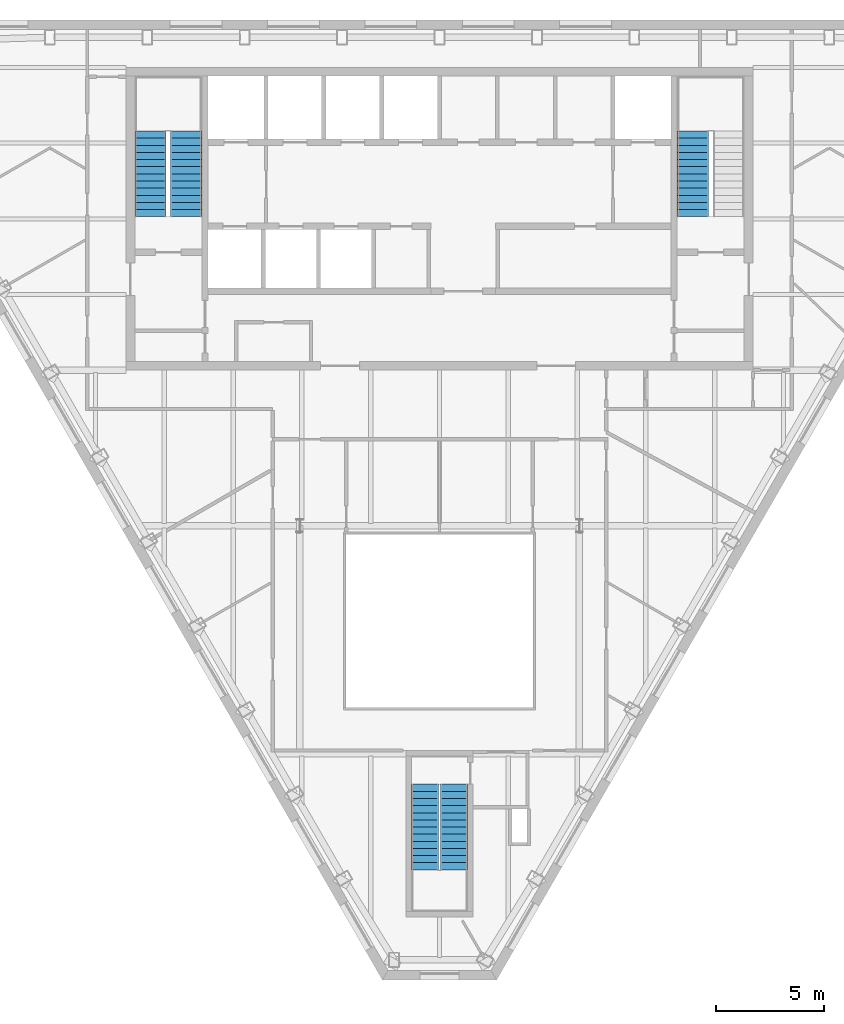
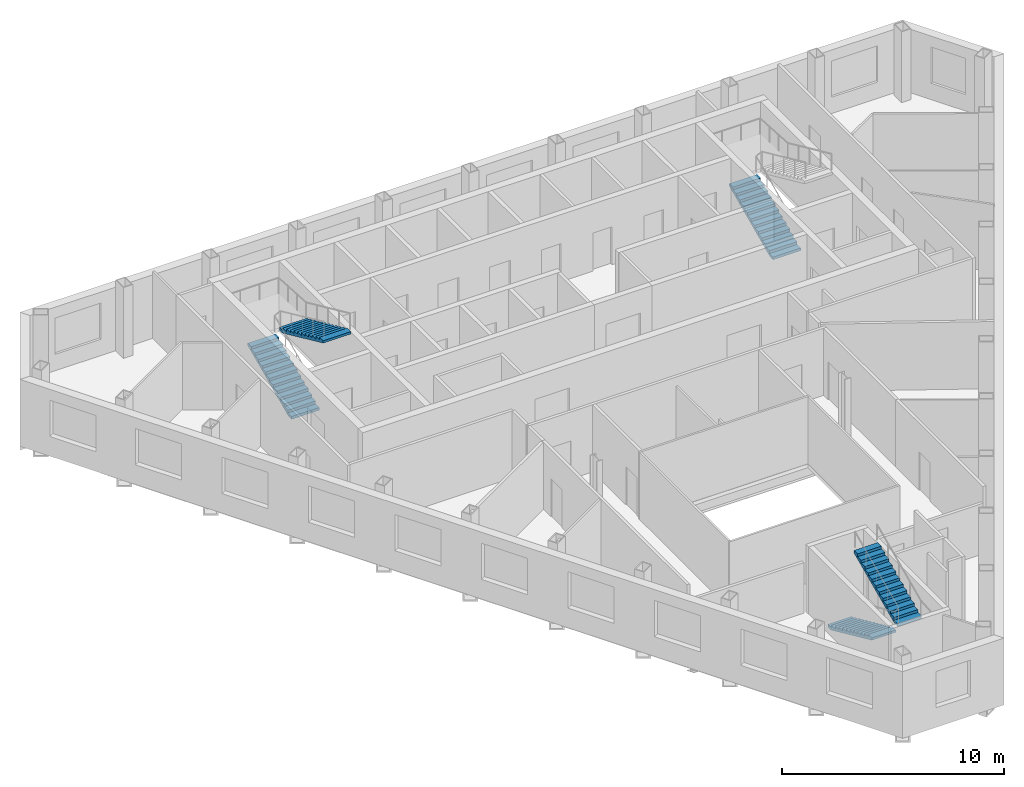
# One storey, part 8 of 10: 5 stair flights, 3 elements without a shape of their own.
"""IFC4 building model written with IfcOpenShell, lengths in metres."""

from ifc_helpers import new_model, si_unit, direction, frame, origin, place, context, subcontext, project, spatial, polygons, material, type_object, element, aggregate, save


model = new_model("IFC4")

# Units and contexts
model_context = context("Model", 3, precision=1e-05, world=origin(), true_north=direction((0.0, 1.0)))
body_context = subcontext(model_context, "Body", "Model", "MODEL_VIEW")
ifc_project = project(units=[si_unit("LENGTHUNIT", "METRE"), si_unit("AREAUNIT", "SQUARE_METRE"), si_unit("VOLUMEUNIT", "CUBIC_METRE"), si_unit("PLANEANGLEUNIT", "RADIAN"), si_unit("MASSUNIT", "GRAM", prefix="KILO")], contexts=[model_context])

# Site, building, storey
site_placement = place(None, origin())
site = spatial("IfcSite", under=ifc_project, at=site_placement, CompositionType="ELEMENT")
building_placement = place(site_placement, origin())
building = spatial("IfcBuilding", under=site, at=building_placement, Name="Njiva Tower", CompositionType="ELEMENT")
storey_placement = place(building_placement, frame((0.0, 0.0, 280.5)))
storey = spatial("IfcBuildingStorey", under=building, at=storey_placement, Name="L64", CompositionType="ELEMENT", Elevation=280.5)

# Stair, stair flights
ifc_material = material(Name="Concrete C40/50", Category="concrete")
stair_type_1 = type_object("IfcStairType", Name="ST1 Exit stair 1250", PredefinedType="HALF_TURN_STAIR", material=ifc_material)
stair_1_placement = place(storey_placement, origin())
stair_1 = element("IfcStair", 1, at=stair_1_placement, inside=storey, type_object=stair_type_1, Name="Stair C", PredefinedType="HALF_TURN_STAIR")
stair_flight_type_1 = type_object("IfcStairFlightType", Name="FL1 Stair flight 1250", PredefinedType="STRAIGHT", material=ifc_material)
stair_flight_1_placement = place(storey_placement, frame((-0.675, -15.16, 0.0), z_axis=(0.0, 0.0, 1.0), x_axis=(0.0, -1.0, 0.0)))
stair_flight_1 = element("IfcStairFlight", 2, at=stair_flight_1_placement, type_object=stair_flight_type_1, Name="ST-C flight 1", NumberOfRisers=13, NumberOfTreads=12, PredefinedType="STRAIGHT", RiserHeight=0.15, TreadLength=0.33, context=body_context, shape_type="Tessellation", body=[
    polygons([(0.0, 0.625, 0.0), (0.0, 0.3125, 0.0), (0.0, 0.0, 0.0), (0.0, -0.3125, 0.0), (0.0, -0.625, 0.0), (0.0, 0.625, 0.15), (0.0, 0.3125, 0.15), (0.0, 0.0, 0.15), (0.0, -0.3125, 0.15), (0.0, -0.625, 0.15), (0.33, 0.625, 0.15), (0.33, 0.3125, 0.15), (0.33, 0.0, 0.15), (0.33, -0.3125, 0.15), (0.33, -0.625, 0.15), (0.33, 0.625, 0.3), (0.33, 0.3125, 0.3), (0.33, 0.0, 0.3), (0.33, -0.3125, 0.3), (0.33, -0.625, 0.3), (0.66, 0.625, 0.3), (0.66, 0.3125, 0.3), (0.66, 0.0, 0.3), (0.66, -0.3125, 0.3), (0.66, -0.625, 0.3), (0.66, 0.625, 0.45), (0.66, 0.3125, 0.45), (0.66, 0.0, 0.45), (0.66, -0.3125, 0.45), (0.66, -0.625, 0.45), (0.99, 0.625, 0.45), (0.99, 0.3125, 0.45), (0.99, 0.0, 0.45), (0.99, -0.3125, 0.45), (0.99, -0.625, 0.45), (0.99, 0.625, 0.6), (0.99, 0.3125, 0.6), (0.99, 0.0, 0.6), (0.99, -0.3125, 0.6), (0.99, -0.625, 0.6), (1.32, 0.625, 0.6), (1.32, 0.3125, 0.6), (1.32, 0.0, 0.6), (1.32, -0.3125, 0.6), (1.32, -0.625, 0.6), (1.32, 0.625, 0.75), (1.32, 0.3125, 0.75), (1.32, 0.0, 0.75), (1.32, -0.3125, 0.75), (1.32, -0.625, 0.75), (1.65, 0.625, 0.75), (1.65, 0.3125, 0.75), (1.65, 0.0, 0.75), (1.65, -0.3125, 0.75), (1.65, -0.625, 0.75), (1.65, 0.625, 0.9), (1.65, 0.3125, 0.9), (1.65, 0.0, 0.9), (1.65, -0.3125, 0.9), (1.65, -0.625, 0.9), (1.98, 0.625, 0.9), (1.98, 0.3125, 0.9), (1.98, 0.0, 0.9), (1.98, -0.3125, 0.9), (1.98, -0.625, 0.9), (1.98, 0.625, 1.05), (1.98, 0.3125, 1.05), (1.98, 0.0, 1.05), (1.98, -0.3125, 1.05), (1.98, -0.625, 1.05), (2.31, 0.625, 1.05), (2.31, 0.3125, 1.05), (2.31, 0.0, 1.05), (2.31, -0.3125, 1.05), (2.31, -0.625, 1.05), (2.31, 0.625, 1.2), (2.31, 0.3125, 1.2), (2.31, 0.0, 1.2), (2.31, -0.3125, 1.2), (2.31, -0.625, 1.2), (2.64, 0.625, 1.2), (2.64, 0.3125, 1.2), (2.64, 0.0, 1.2), (2.64, -0.3125, 1.2), (2.64, -0.625, 1.2), (2.64, 0.625, 1.35), (2.64, 0.3125, 1.35), (2.64, 0.0, 1.35), (2.64, -0.3125, 1.35), (2.64, -0.625, 1.35), (2.97, 0.625, 1.35), (2.97, 0.3125, 1.35), (2.97, 0.0, 1.35), (2.97, -0.3125, 1.35), (2.97, -0.625, 1.35), (2.97, 0.625, 1.5), (2.97, 0.3125, 1.5), (2.97, 0.0, 1.5), (2.97, -0.3125, 1.5), (2.97, -0.625, 1.5), (3.3, 0.625, 1.5), (3.3, 0.3125, 1.5), (3.3, 0.0, 1.5), (3.3, -0.3125, 1.5), (3.3, -0.625, 1.5), (3.3, 0.625, 1.65), (3.3, 0.3125, 1.65), (3.3, 0.0, 1.65), (3.3, -0.3125, 1.65), (3.3, -0.625, 1.65), (3.63, 0.625, 1.65), (3.63, 0.3125, 1.65), (3.63, 0.0, 1.65), (3.63, -0.3125, 1.65), (3.63, -0.625, 1.65), (3.63, 0.625, 1.8), (3.63, 0.3125, 1.8), (3.63, 0.0, 1.8), (3.63, -0.3125, 1.8), (3.63, -0.625, 1.8), (3.96, 0.625, 1.8), (3.96, 0.3125, 1.8), (3.96, 0.0, 1.8), (3.96, -0.3125, 1.8), (3.96, -0.625, 1.8), (3.96, 0.625, 1.6682), (3.96, 0.3125, 1.6682), (3.96, 0.0, 1.6682), (3.96, -0.3125, 1.6682), (3.96, -0.625, 1.6682), (0.29, 0.625, 0.0), (0.29, 0.3125, 0.0), (0.29, 0.0, 0.0), (0.29, -0.3125, 0.0), (0.29, -0.625, 0.0)], [[[1, 6, 11, 16, 21, 26, 31, 36, 41, 46, 51, 56, 61, 66, 71, 76, 81, 86, 91, 96, 101, 106, 111, 116, 121, 126, 131]], [[135, 130, 125, 120, 115, 110, 105, 100, 95, 90, 85, 80, 75, 70, 65, 60, 55, 50, 45, 40, 35, 30, 25, 20, 15, 10, 5]], [[6, 1, 2, 7]], [[7, 2, 3, 8]], [[8, 3, 4, 9]], [[9, 4, 5, 10]], [[11, 6, 7, 12]], [[12, 7, 8, 13]], [[13, 8, 9, 14]], [[14, 9, 10, 15]], [[16, 11, 12, 17]], [[17, 12, 13, 18]], [[18, 13, 14, 19]], [[19, 14, 15, 20]], [[21, 16, 17, 22]], [[22, 17, 18, 23]], [[23, 18, 19, 24]], [[24, 19, 20, 25]], [[26, 21, 22, 27]], [[27, 22, 23, 28]], [[28, 23, 24, 29]], [[29, 24, 25, 30]], [[31, 26, 27, 32]], [[32, 27, 28, 33]], [[33, 28, 29, 34]], [[34, 29, 30, 35]], [[36, 31, 32, 37]], [[37, 32, 33, 38]], [[38, 33, 34, 39]], [[39, 34, 35, 40]], [[41, 36, 37, 42]], [[42, 37, 38, 43]], [[43, 38, 39, 44]], [[44, 39, 40, 45]], [[46, 41, 42, 47]], [[47, 42, 43, 48]], [[48, 43, 44, 49]], [[49, 44, 45, 50]], [[51, 46, 47, 52]], [[52, 47, 48, 53]], [[53, 48, 49, 54]], [[54, 49, 50, 55]], [[56, 51, 52, 57]], [[57, 52, 53, 58]], [[58, 53, 54, 59]], [[59, 54, 55, 60]], [[61, 56, 57, 62]], [[62, 57, 58, 63]], [[63, 58, 59, 64]], [[64, 59, 60, 65]], [[66, 61, 62, 67]], [[67, 62, 63, 68]], [[68, 63, 64, 69]], [[69, 64, 65, 70]], [[71, 66, 67, 72]], [[72, 67, 68, 73]], [[73, 68, 69, 74]], [[74, 69, 70, 75]], [[76, 71, 72, 77]], [[77, 72, 73, 78]], [[78, 73, 74, 79]], [[79, 74, 75, 80]], [[81, 76, 77, 82]], [[82, 77, 78, 83]], [[83, 78, 79, 84]], [[84, 79, 80, 85]], [[86, 81, 82, 87]], [[87, 82, 83, 88]], [[88, 83, 84, 89]], [[89, 84, 85, 90]], [[91, 86, 87, 92]], [[92, 87, 88, 93]], [[93, 88, 89, 94]], [[94, 89, 90, 95]], [[96, 91, 92, 97]], [[97, 92, 93, 98]], [[98, 93, 94, 99]], [[99, 94, 95, 100]], [[101, 96, 97, 102]], [[102, 97, 98, 103]], [[103, 98, 99, 104]], [[104, 99, 100, 105]], [[106, 101, 102, 107]], [[107, 102, 103, 108]], [[108, 103, 104, 109]], [[109, 104, 105, 110]], [[111, 106, 107, 112]], [[112, 107, 108, 113]], [[113, 108, 109, 114]], [[114, 109, 110, 115]], [[116, 111, 112, 117]], [[117, 112, 113, 118]], [[118, 113, 114, 119]], [[119, 114, 115, 120]], [[121, 116, 117, 122]], [[122, 117, 118, 123]], [[123, 118, 119, 124]], [[124, 119, 120, 125]], [[126, 121, 122, 127]], [[127, 122, 123, 128]], [[128, 123, 124, 129]], [[129, 124, 125, 130]], [[131, 126, 127, 132]], [[132, 127, 128, 133]], [[133, 128, 129, 134]], [[134, 129, 130, 135]], [[1, 131, 132, 2]], [[2, 132, 133, 3]], [[3, 133, 134, 4]], [[4, 134, 135, 5]]], closed=True),
])
stair_flight_2_placement = place(storey_placement, frame((0.675, -19.12, 1.95), z_axis=(0.0, 0.0, 1.0), x_axis=(0.0, 1.0, 0.0)))
stair_flight_2 = element("IfcStairFlight", 3, at=stair_flight_2_placement, type_object=stair_flight_type_1, Name="ST-C flight 2", NumberOfRisers=13, NumberOfTreads=12, PredefinedType="STRAIGHT", RiserHeight=0.15, TreadLength=0.33, context=body_context, shape_type="Tessellation", body=[
    polygons([(0.0, 0.625, 0.0), (0.0, 0.3125, 0.0), (0.0, 0.0, 0.0), (0.0, -0.3125, 0.0), (0.0, -0.625, 0.0), (0.0, 0.625, 0.15), (0.0, 0.3125, 0.15), (0.0, 0.0, 0.15), (0.0, -0.3125, 0.15), (0.0, -0.625, 0.15), (0.33, 0.625, 0.15), (0.33, 0.3125, 0.15), (0.33, 0.0, 0.15), (0.33, -0.3125, 0.15), (0.33, -0.625, 0.15), (0.33, 0.625, 0.3), (0.33, 0.3125, 0.3), (0.33, 0.0, 0.3), (0.33, -0.3125, 0.3), (0.33, -0.625, 0.3), (0.66, 0.625, 0.3), (0.66, 0.3125, 0.3), (0.66, 0.0, 0.3), (0.66, -0.3125, 0.3), (0.66, -0.625, 0.3), (0.66, 0.625, 0.45), (0.66, 0.3125, 0.45), (0.66, 0.0, 0.45), (0.66, -0.3125, 0.45), (0.66, -0.625, 0.45), (0.99, 0.625, 0.45), (0.99, 0.3125, 0.45), (0.99, 0.0, 0.45), (0.99, -0.3125, 0.45), (0.99, -0.625, 0.45), (0.99, 0.625, 0.6), (0.99, 0.3125, 0.6), (0.99, 0.0, 0.6), (0.99, -0.3125, 0.6), (0.99, -0.625, 0.6), (1.32, 0.625, 0.6), (1.32, 0.3125, 0.6), (1.32, 0.0, 0.6), (1.32, -0.3125, 0.6), (1.32, -0.625, 0.6), (1.32, 0.625, 0.75), (1.32, 0.3125, 0.75), (1.32, 0.0, 0.75), (1.32, -0.3125, 0.75), (1.32, -0.625, 0.75), (1.65, 0.625, 0.75), (1.65, 0.3125, 0.75), (1.65, 0.0, 0.75), (1.65, -0.3125, 0.75), (1.65, -0.625, 0.75), (1.65, 0.625, 0.9), (1.65, 0.3125, 0.9), (1.65, 0.0, 0.9), (1.65, -0.3125, 0.9), (1.65, -0.625, 0.9), (1.98, 0.625, 0.9), (1.98, 0.3125, 0.9), (1.98, 0.0, 0.9), (1.98, -0.3125, 0.9), (1.98, -0.625, 0.9), (1.98, 0.625, 1.05), (1.98, 0.3125, 1.05), (1.98, 0.0, 1.05), (1.98, -0.3125, 1.05), (1.98, -0.625, 1.05), (2.31, 0.625, 1.05), (2.31, 0.3125, 1.05), (2.31, 0.0, 1.05), (2.31, -0.3125, 1.05), (2.31, -0.625, 1.05), (2.31, 0.625, 1.2), (2.31, 0.3125, 1.2), (2.31, 0.0, 1.2), (2.31, -0.3125, 1.2), (2.31, -0.625, 1.2), (2.64, 0.625, 1.2), (2.64, 0.3125, 1.2), (2.64, 0.0, 1.2), (2.64, -0.3125, 1.2), (2.64, -0.625, 1.2), (2.64, 0.625, 1.35), (2.64, 0.3125, 1.35), (2.64, 0.0, 1.35), (2.64, -0.3125, 1.35), (2.64, -0.625, 1.35), (2.97, 0.625, 1.35), (2.97, 0.3125, 1.35), (2.97, 0.0, 1.35), (2.97, -0.3125, 1.35), (2.97, -0.625, 1.35), (2.97, 0.625, 1.5), (2.97, 0.3125, 1.5), (2.97, 0.0, 1.5), (2.97, -0.3125, 1.5), (2.97, -0.625, 1.5), (3.3, 0.625, 1.5), (3.3, 0.3125, 1.5), (3.3, 0.0, 1.5), (3.3, -0.3125, 1.5), (3.3, -0.625, 1.5), (3.3, 0.625, 1.65), (3.3, 0.3125, 1.65), (3.3, 0.0, 1.65), (3.3, -0.3125, 1.65), (3.3, -0.625, 1.65), (3.63, 0.625, 1.65), (3.63, 0.3125, 1.65), (3.63, 0.0, 1.65), (3.63, -0.3125, 1.65), (3.63, -0.625, 1.65), (3.63, 0.625, 1.8), (3.63, 0.3125, 1.8), (3.63, 0.0, 1.8), (3.63, -0.3125, 1.8), (3.63, -0.625, 1.8), (3.96, 0.625, 1.8), (3.96, 0.3125, 1.8), (3.96, 0.0, 1.8), (3.96, -0.3125, 1.8), (3.96, -0.625, 1.8), (3.96, 0.625, 1.6682), (3.96, 0.3125, 1.6682), (3.96, 0.0, 1.6682), (3.96, -0.3125, 1.6682), (3.96, -0.625, 1.6682), (0.29, 0.625, 0.0), (0.29, 0.3125, 0.0), (0.29, 0.0, 0.0), (0.29, -0.3125, 0.0), (0.29, -0.625, 0.0)], [[[1, 6, 11, 16, 21, 26, 31, 36, 41, 46, 51, 56, 61, 66, 71, 76, 81, 86, 91, 96, 101, 106, 111, 116, 121, 126, 131]], [[135, 130, 125, 120, 115, 110, 105, 100, 95, 90, 85, 80, 75, 70, 65, 60, 55, 50, 45, 40, 35, 30, 25, 20, 15, 10, 5]], [[6, 1, 2, 7]], [[7, 2, 3, 8]], [[8, 3, 4, 9]], [[9, 4, 5, 10]], [[11, 6, 7, 12]], [[12, 7, 8, 13]], [[13, 8, 9, 14]], [[14, 9, 10, 15]], [[16, 11, 12, 17]], [[17, 12, 13, 18]], [[18, 13, 14, 19]], [[19, 14, 15, 20]], [[21, 16, 17, 22]], [[22, 17, 18, 23]], [[23, 18, 19, 24]], [[24, 19, 20, 25]], [[26, 21, 22, 27]], [[27, 22, 23, 28]], [[28, 23, 24, 29]], [[29, 24, 25, 30]], [[31, 26, 27, 32]], [[32, 27, 28, 33]], [[33, 28, 29, 34]], [[34, 29, 30, 35]], [[36, 31, 32, 37]], [[37, 32, 33, 38]], [[38, 33, 34, 39]], [[39, 34, 35, 40]], [[41, 36, 37, 42]], [[42, 37, 38, 43]], [[43, 38, 39, 44]], [[44, 39, 40, 45]], [[46, 41, 42, 47]], [[47, 42, 43, 48]], [[48, 43, 44, 49]], [[49, 44, 45, 50]], [[51, 46, 47, 52]], [[52, 47, 48, 53]], [[53, 48, 49, 54]], [[54, 49, 50, 55]], [[56, 51, 52, 57]], [[57, 52, 53, 58]], [[58, 53, 54, 59]], [[59, 54, 55, 60]], [[61, 56, 57, 62]], [[62, 57, 58, 63]], [[63, 58, 59, 64]], [[64, 59, 60, 65]], [[66, 61, 62, 67]], [[67, 62, 63, 68]], [[68, 63, 64, 69]], [[69, 64, 65, 70]], [[71, 66, 67, 72]], [[72, 67, 68, 73]], [[73, 68, 69, 74]], [[74, 69, 70, 75]], [[76, 71, 72, 77]], [[77, 72, 73, 78]], [[78, 73, 74, 79]], [[79, 74, 75, 80]], [[81, 76, 77, 82]], [[82, 77, 78, 83]], [[83, 78, 79, 84]], [[84, 79, 80, 85]], [[86, 81, 82, 87]], [[87, 82, 83, 88]], [[88, 83, 84, 89]], [[89, 84, 85, 90]], [[91, 86, 87, 92]], [[92, 87, 88, 93]], [[93, 88, 89, 94]], [[94, 89, 90, 95]], [[96, 91, 92, 97]], [[97, 92, 93, 98]], [[98, 93, 94, 99]], [[99, 94, 95, 100]], [[101, 96, 97, 102]], [[102, 97, 98, 103]], [[103, 98, 99, 104]], [[104, 99, 100, 105]], [[106, 101, 102, 107]], [[107, 102, 103, 108]], [[108, 103, 104, 109]], [[109, 104, 105, 110]], [[111, 106, 107, 112]], [[112, 107, 108, 113]], [[113, 108, 109, 114]], [[114, 109, 110, 115]], [[116, 111, 112, 117]], [[117, 112, 113, 118]], [[118, 113, 114, 119]], [[119, 114, 115, 120]], [[121, 116, 117, 122]], [[122, 117, 118, 123]], [[123, 118, 119, 124]], [[124, 119, 120, 125]], [[126, 121, 122, 127]], [[127, 122, 123, 128]], [[128, 123, 124, 129]], [[129, 124, 125, 130]], [[131, 126, 127, 132]], [[132, 127, 128, 133]], [[133, 128, 129, 134]], [[134, 129, 130, 135]], [[1, 131, 132, 2]], [[2, 132, 133, 3]], [[3, 133, 134, 4]], [[4, 134, 135, 5]]], closed=True),
])
aggregate(stair_1, [stair_flight_1, stair_flight_2])

stair_type_2 = type_object("IfcStairType", Name="ST3 Exit stair 1450", PredefinedType="HALF_TURN_STAIR", material=ifc_material)
stair_2_placement = place(storey_placement, origin())
stair_2 = element("IfcStair", 4, at=stair_2_placement, inside=storey, type_object=stair_type_2, Name="Stair A", PredefinedType="HALF_TURN_STAIR")
stair_flight_type_2 = type_object("IfcStairFlightType", Name="FL3 Stair flight 1450", PredefinedType="STRAIGHT", material=ifc_material)
stair_flight_3_placement = place(storey_placement, frame((-13.375, 11.1, 0.0), z_axis=(0.0, 0.0, 1.0), x_axis=(0.0, 1.0, 0.0)))
stair_flight_3 = element("IfcStairFlight", 5, at=stair_flight_3_placement, type_object=stair_flight_type_2, Name="ST-A flight 1", NumberOfRisers=13, NumberOfTreads=12, PredefinedType="STRAIGHT", RiserHeight=0.15, TreadLength=0.33, context=body_context, shape_type="Tessellation", body=[
    polygons([(0.0, 0.725, 0.0), (0.0, 0.3625, 0.0), (0.0, 0.0, 0.0), (0.0, -0.3625, 0.0), (0.0, -0.725, 0.0), (0.0, 0.725, 0.15), (0.0, 0.3625, 0.15), (0.0, 0.0, 0.15), (0.0, -0.3625, 0.15), (0.0, -0.725, 0.15), (0.33, 0.725, 0.15), (0.33, 0.3625, 0.15), (0.33, 0.0, 0.15), (0.33, -0.3625, 0.15), (0.33, -0.725, 0.15), (0.33, 0.725, 0.3), (0.33, 0.3625, 0.3), (0.33, 0.0, 0.3), (0.33, -0.3625, 0.3), (0.33, -0.725, 0.3), (0.66, 0.725, 0.3), (0.66, 0.3625, 0.3), (0.66, 0.0, 0.3), (0.66, -0.3625, 0.3), (0.66, -0.725, 0.3), (0.66, 0.725, 0.45), (0.66, 0.3625, 0.45), (0.66, 0.0, 0.45), (0.66, -0.3625, 0.45), (0.66, -0.725, 0.45), (0.99, 0.725, 0.45), (0.99, 0.3625, 0.45), (0.99, 0.0, 0.45), (0.99, -0.3625, 0.45), (0.99, -0.725, 0.45), (0.99, 0.725, 0.6), (0.99, 0.3625, 0.6), (0.99, 0.0, 0.6), (0.99, -0.3625, 0.6), (0.99, -0.725, 0.6), (1.32, 0.725, 0.6), (1.32, 0.3625, 0.6), (1.32, 0.0, 0.6), (1.32, -0.3625, 0.6), (1.32, -0.725, 0.6), (1.32, 0.725, 0.75), (1.32, 0.3625, 0.75), (1.32, 0.0, 0.75), (1.32, -0.3625, 0.75), (1.32, -0.725, 0.75), (1.65, 0.725, 0.75), (1.65, 0.3625, 0.75), (1.65, 0.0, 0.75), (1.65, -0.3625, 0.75), (1.65, -0.725, 0.75), (1.65, 0.725, 0.9), (1.65, 0.3625, 0.9), (1.65, 0.0, 0.9), (1.65, -0.3625, 0.9), (1.65, -0.725, 0.9), (1.98, 0.725, 0.9), (1.98, 0.3625, 0.9), (1.98, 0.0, 0.9), (1.98, -0.3625, 0.9), (1.98, -0.725, 0.9), (1.98, 0.725, 1.05), (1.98, 0.3625, 1.05), (1.98, 0.0, 1.05), (1.98, -0.3625, 1.05), (1.98, -0.725, 1.05), (2.31, 0.725, 1.05), (2.31, 0.3625, 1.05), (2.31, 0.0, 1.05), (2.31, -0.3625, 1.05), (2.31, -0.725, 1.05), (2.31, 0.725, 1.2), (2.31, 0.3625, 1.2), (2.31, 0.0, 1.2), (2.31, -0.3625, 1.2), (2.31, -0.725, 1.2), (2.64, 0.725, 1.2), (2.64, 0.3625, 1.2), (2.64, 0.0, 1.2), (2.64, -0.3625, 1.2), (2.64, -0.725, 1.2), (2.64, 0.725, 1.35), (2.64, 0.3625, 1.35), (2.64, 0.0, 1.35), (2.64, -0.3625, 1.35), (2.64, -0.725, 1.35), (2.97, 0.725, 1.35), (2.97, 0.3625, 1.35), (2.97, 0.0, 1.35), (2.97, -0.3625, 1.35), (2.97, -0.725, 1.35), (2.97, 0.725, 1.5), (2.97, 0.3625, 1.5), (2.97, 0.0, 1.5), (2.97, -0.3625, 1.5), (2.97, -0.725, 1.5), (3.3, 0.725, 1.5), (3.3, 0.3625, 1.5), (3.3, 0.0, 1.5), (3.3, -0.3625, 1.5), (3.3, -0.725, 1.5), (3.3, 0.725, 1.65), (3.3, 0.3625, 1.65), (3.3, 0.0, 1.65), (3.3, -0.3625, 1.65), (3.3, -0.725, 1.65), (3.63, 0.725, 1.65), (3.63, 0.3625, 1.65), (3.63, 0.0, 1.65), (3.63, -0.3625, 1.65), (3.63, -0.725, 1.65), (3.63, 0.725, 1.8), (3.63, 0.3625, 1.8), (3.63, 0.0, 1.8), (3.63, -0.3625, 1.8), (3.63, -0.725, 1.8), (3.96, 0.725, 1.8), (3.96, 0.3625, 1.8), (3.96, 0.0, 1.8), (3.96, -0.3625, 1.8), (3.96, -0.725, 1.8), (3.96, 0.725, 1.6682), (3.96, 0.3625, 1.6682), (3.96, 0.0, 1.6682), (3.96, -0.3625, 1.6682), (3.96, -0.725, 1.6682), (0.29, 0.725, 0.0), (0.29, 0.3625, 0.0), (0.29, 0.0, 0.0), (0.29, -0.3625, 0.0), (0.29, -0.725, 0.0)], [[[1, 6, 11, 16, 21, 26, 31, 36, 41, 46, 51, 56, 61, 66, 71, 76, 81, 86, 91, 96, 101, 106, 111, 116, 121, 126, 131]], [[135, 130, 125, 120, 115, 110, 105, 100, 95, 90, 85, 80, 75, 70, 65, 60, 55, 50, 45, 40, 35, 30, 25, 20, 15, 10, 5]], [[6, 1, 2, 7]], [[7, 2, 3, 8]], [[8, 3, 4, 9]], [[9, 4, 5, 10]], [[11, 6, 7, 12]], [[12, 7, 8, 13]], [[13, 8, 9, 14]], [[14, 9, 10, 15]], [[16, 11, 12, 17]], [[17, 12, 13, 18]], [[18, 13, 14, 19]], [[19, 14, 15, 20]], [[21, 16, 17, 22]], [[22, 17, 18, 23]], [[23, 18, 19, 24]], [[24, 19, 20, 25]], [[26, 21, 22, 27]], [[27, 22, 23, 28]], [[28, 23, 24, 29]], [[29, 24, 25, 30]], [[31, 26, 27, 32]], [[32, 27, 28, 33]], [[33, 28, 29, 34]], [[34, 29, 30, 35]], [[36, 31, 32, 37]], [[37, 32, 33, 38]], [[38, 33, 34, 39]], [[39, 34, 35, 40]], [[41, 36, 37, 42]], [[42, 37, 38, 43]], [[43, 38, 39, 44]], [[44, 39, 40, 45]], [[46, 41, 42, 47]], [[47, 42, 43, 48]], [[48, 43, 44, 49]], [[49, 44, 45, 50]], [[51, 46, 47, 52]], [[52, 47, 48, 53]], [[53, 48, 49, 54]], [[54, 49, 50, 55]], [[56, 51, 52, 57]], [[57, 52, 53, 58]], [[58, 53, 54, 59]], [[59, 54, 55, 60]], [[61, 56, 57, 62]], [[62, 57, 58, 63]], [[63, 58, 59, 64]], [[64, 59, 60, 65]], [[66, 61, 62, 67]], [[67, 62, 63, 68]], [[68, 63, 64, 69]], [[69, 64, 65, 70]], [[71, 66, 67, 72]], [[72, 67, 68, 73]], [[73, 68, 69, 74]], [[74, 69, 70, 75]], [[76, 71, 72, 77]], [[77, 72, 73, 78]], [[78, 73, 74, 79]], [[79, 74, 75, 80]], [[81, 76, 77, 82]], [[82, 77, 78, 83]], [[83, 78, 79, 84]], [[84, 79, 80, 85]], [[86, 81, 82, 87]], [[87, 82, 83, 88]], [[88, 83, 84, 89]], [[89, 84, 85, 90]], [[91, 86, 87, 92]], [[92, 87, 88, 93]], [[93, 88, 89, 94]], [[94, 89, 90, 95]], [[96, 91, 92, 97]], [[97, 92, 93, 98]], [[98, 93, 94, 99]], [[99, 94, 95, 100]], [[101, 96, 97, 102]], [[102, 97, 98, 103]], [[103, 98, 99, 104]], [[104, 99, 100, 105]], [[106, 101, 102, 107]], [[107, 102, 103, 108]], [[108, 103, 104, 109]], [[109, 104, 105, 110]], [[111, 106, 107, 112]], [[112, 107, 108, 113]], [[113, 108, 109, 114]], [[114, 109, 110, 115]], [[116, 111, 112, 117]], [[117, 112, 113, 118]], [[118, 113, 114, 119]], [[119, 114, 115, 120]], [[121, 116, 117, 122]], [[122, 117, 118, 123]], [[123, 118, 119, 124]], [[124, 119, 120, 125]], [[126, 121, 122, 127]], [[127, 122, 123, 128]], [[128, 123, 124, 129]], [[129, 124, 125, 130]], [[131, 126, 127, 132]], [[132, 127, 128, 133]], [[133, 128, 129, 134]], [[134, 129, 130, 135]], [[1, 131, 132, 2]], [[2, 132, 133, 3]], [[3, 133, 134, 4]], [[4, 134, 135, 5]]], closed=True),
])
stair_flight_4_placement = place(storey_placement, frame((-11.725, 15.06, 1.95), z_axis=(0.0, 0.0, 1.0), x_axis=(0.0, -1.0, 0.0)))
stair_flight_4 = element("IfcStairFlight", 6, at=stair_flight_4_placement, type_object=stair_flight_type_2, Name="ST-A flight 2", NumberOfRisers=13, NumberOfTreads=12, PredefinedType="STRAIGHT", RiserHeight=0.15, TreadLength=0.33, context=body_context, shape_type="Tessellation", body=[
    polygons([(0.0, 0.725, 0.0), (0.0, 0.3625, 0.0), (0.0, 0.0, 0.0), (0.0, -0.3625, 0.0), (0.0, -0.725, 0.0), (0.0, 0.725, 0.15), (0.0, 0.3625, 0.15), (0.0, 0.0, 0.15), (0.0, -0.3625, 0.15), (0.0, -0.725, 0.15), (0.33, 0.725, 0.15), (0.33, 0.3625, 0.15), (0.33, 0.0, 0.15), (0.33, -0.3625, 0.15), (0.33, -0.725, 0.15), (0.33, 0.725, 0.3), (0.33, 0.3625, 0.3), (0.33, 0.0, 0.3), (0.33, -0.3625, 0.3), (0.33, -0.725, 0.3), (0.66, 0.725, 0.3), (0.66, 0.3625, 0.3), (0.66, 0.0, 0.3), (0.66, -0.3625, 0.3), (0.66, -0.725, 0.3), (0.66, 0.725, 0.45), (0.66, 0.3625, 0.45), (0.66, 0.0, 0.45), (0.66, -0.3625, 0.45), (0.66, -0.725, 0.45), (0.99, 0.725, 0.45), (0.99, 0.3625, 0.45), (0.99, 0.0, 0.45), (0.99, -0.3625, 0.45), (0.99, -0.725, 0.45), (0.99, 0.725, 0.6), (0.99, 0.3625, 0.6), (0.99, 0.0, 0.6), (0.99, -0.3625, 0.6), (0.99, -0.725, 0.6), (1.32, 0.725, 0.6), (1.32, 0.3625, 0.6), (1.32, 0.0, 0.6), (1.32, -0.3625, 0.6), (1.32, -0.725, 0.6), (1.32, 0.725, 0.75), (1.32, 0.3625, 0.75), (1.32, 0.0, 0.75), (1.32, -0.3625, 0.75), (1.32, -0.725, 0.75), (1.65, 0.725, 0.75), (1.65, 0.3625, 0.75), (1.65, 0.0, 0.75), (1.65, -0.3625, 0.75), (1.65, -0.725, 0.75), (1.65, 0.725, 0.9), (1.65, 0.3625, 0.9), (1.65, 0.0, 0.9), (1.65, -0.3625, 0.9), (1.65, -0.725, 0.9), (1.98, 0.725, 0.9), (1.98, 0.3625, 0.9), (1.98, 0.0, 0.9), (1.98, -0.3625, 0.9), (1.98, -0.725, 0.9), (1.98, 0.725, 1.05), (1.98, 0.3625, 1.05), (1.98, 0.0, 1.05), (1.98, -0.3625, 1.05), (1.98, -0.725, 1.05), (2.31, 0.725, 1.05), (2.31, 0.3625, 1.05), (2.31, 0.0, 1.05), (2.31, -0.3625, 1.05), (2.31, -0.725, 1.05), (2.31, 0.725, 1.2), (2.31, 0.3625, 1.2), (2.31, 0.0, 1.2), (2.31, -0.3625, 1.2), (2.31, -0.725, 1.2), (2.64, 0.725, 1.2), (2.64, 0.3625, 1.2), (2.64, 0.0, 1.2), (2.64, -0.3625, 1.2), (2.64, -0.725, 1.2), (2.64, 0.725, 1.35), (2.64, 0.3625, 1.35), (2.64, 0.0, 1.35), (2.64, -0.3625, 1.35), (2.64, -0.725, 1.35), (2.97, 0.725, 1.35), (2.97, 0.3625, 1.35), (2.97, 0.0, 1.35), (2.97, -0.3625, 1.35), (2.97, -0.725, 1.35), (2.97, 0.725, 1.5), (2.97, 0.3625, 1.5), (2.97, 0.0, 1.5), (2.97, -0.3625, 1.5), (2.97, -0.725, 1.5), (3.3, 0.725, 1.5), (3.3, 0.3625, 1.5), (3.3, 0.0, 1.5), (3.3, -0.3625, 1.5), (3.3, -0.725, 1.5), (3.3, 0.725, 1.65), (3.3, 0.3625, 1.65), (3.3, 0.0, 1.65), (3.3, -0.3625, 1.65), (3.3, -0.725, 1.65), (3.63, 0.725, 1.65), (3.63, 0.3625, 1.65), (3.63, 0.0, 1.65), (3.63, -0.3625, 1.65), (3.63, -0.725, 1.65), (3.63, 0.725, 1.8), (3.63, 0.3625, 1.8), (3.63, 0.0, 1.8), (3.63, -0.3625, 1.8), (3.63, -0.725, 1.8), (3.96, 0.725, 1.8), (3.96, 0.3625, 1.8), (3.96, 0.0, 1.8), (3.96, -0.3625, 1.8), (3.96, -0.725, 1.8), (3.96, 0.725, 1.6682), (3.96, 0.3625, 1.6682), (3.96, 0.0, 1.6682), (3.96, -0.3625, 1.6682), (3.96, -0.725, 1.6682), (0.29, 0.725, 0.0), (0.29, 0.3625, 0.0), (0.29, 0.0, 0.0), (0.29, -0.3625, 0.0), (0.29, -0.725, 0.0)], [[[1, 6, 11, 16, 21, 26, 31, 36, 41, 46, 51, 56, 61, 66, 71, 76, 81, 86, 91, 96, 101, 106, 111, 116, 121, 126, 131]], [[135, 130, 125, 120, 115, 110, 105, 100, 95, 90, 85, 80, 75, 70, 65, 60, 55, 50, 45, 40, 35, 30, 25, 20, 15, 10, 5]], [[6, 1, 2, 7]], [[7, 2, 3, 8]], [[8, 3, 4, 9]], [[9, 4, 5, 10]], [[11, 6, 7, 12]], [[12, 7, 8, 13]], [[13, 8, 9, 14]], [[14, 9, 10, 15]], [[16, 11, 12, 17]], [[17, 12, 13, 18]], [[18, 13, 14, 19]], [[19, 14, 15, 20]], [[21, 16, 17, 22]], [[22, 17, 18, 23]], [[23, 18, 19, 24]], [[24, 19, 20, 25]], [[26, 21, 22, 27]], [[27, 22, 23, 28]], [[28, 23, 24, 29]], [[29, 24, 25, 30]], [[31, 26, 27, 32]], [[32, 27, 28, 33]], [[33, 28, 29, 34]], [[34, 29, 30, 35]], [[36, 31, 32, 37]], [[37, 32, 33, 38]], [[38, 33, 34, 39]], [[39, 34, 35, 40]], [[41, 36, 37, 42]], [[42, 37, 38, 43]], [[43, 38, 39, 44]], [[44, 39, 40, 45]], [[46, 41, 42, 47]], [[47, 42, 43, 48]], [[48, 43, 44, 49]], [[49, 44, 45, 50]], [[51, 46, 47, 52]], [[52, 47, 48, 53]], [[53, 48, 49, 54]], [[54, 49, 50, 55]], [[56, 51, 52, 57]], [[57, 52, 53, 58]], [[58, 53, 54, 59]], [[59, 54, 55, 60]], [[61, 56, 57, 62]], [[62, 57, 58, 63]], [[63, 58, 59, 64]], [[64, 59, 60, 65]], [[66, 61, 62, 67]], [[67, 62, 63, 68]], [[68, 63, 64, 69]], [[69, 64, 65, 70]], [[71, 66, 67, 72]], [[72, 67, 68, 73]], [[73, 68, 69, 74]], [[74, 69, 70, 75]], [[76, 71, 72, 77]], [[77, 72, 73, 78]], [[78, 73, 74, 79]], [[79, 74, 75, 80]], [[81, 76, 77, 82]], [[82, 77, 78, 83]], [[83, 78, 79, 84]], [[84, 79, 80, 85]], [[86, 81, 82, 87]], [[87, 82, 83, 88]], [[88, 83, 84, 89]], [[89, 84, 85, 90]], [[91, 86, 87, 92]], [[92, 87, 88, 93]], [[93, 88, 89, 94]], [[94, 89, 90, 95]], [[96, 91, 92, 97]], [[97, 92, 93, 98]], [[98, 93, 94, 99]], [[99, 94, 95, 100]], [[101, 96, 97, 102]], [[102, 97, 98, 103]], [[103, 98, 99, 104]], [[104, 99, 100, 105]], [[106, 101, 102, 107]], [[107, 102, 103, 108]], [[108, 103, 104, 109]], [[109, 104, 105, 110]], [[111, 106, 107, 112]], [[112, 107, 108, 113]], [[113, 108, 109, 114]], [[114, 109, 110, 115]], [[116, 111, 112, 117]], [[117, 112, 113, 118]], [[118, 113, 114, 119]], [[119, 114, 115, 120]], [[121, 116, 117, 122]], [[122, 117, 118, 123]], [[123, 118, 119, 124]], [[124, 119, 120, 125]], [[126, 121, 122, 127]], [[127, 122, 123, 128]], [[128, 123, 124, 129]], [[129, 124, 125, 130]], [[131, 126, 127, 132]], [[132, 127, 128, 133]], [[133, 128, 129, 134]], [[134, 129, 130, 135]], [[1, 131, 132, 2]], [[2, 132, 133, 3]], [[3, 133, 134, 4]], [[4, 134, 135, 5]]], closed=True),
])
aggregate(stair_2, [stair_flight_3, stair_flight_4])

# Stair, stair flight
stair_3_placement = place(storey_placement, origin())
stair_3 = element("IfcStair", 7, at=stair_3_placement, inside=storey, type_object=stair_type_2, Name="Stair B", PredefinedType="HALF_TURN_STAIR")
stair_flight_5_placement = place(storey_placement, frame((11.725, 11.1, 0.0), z_axis=(0.0, 0.0, 1.0), x_axis=(0.0, 1.0, 0.0)))
stair_flight_5 = element("IfcStairFlight", 8, at=stair_flight_5_placement, type_object=stair_flight_type_2, Name="ST-B flight 1", NumberOfRisers=13, NumberOfTreads=12, PredefinedType="STRAIGHT", RiserHeight=0.15, TreadLength=0.33, context=body_context, shape_type="Tessellation", body=[
    polygons([(0.0, 0.725, 0.0), (0.0, 0.3625, 0.0), (0.0, 0.0, 0.0), (0.0, -0.3625, 0.0), (0.0, -0.725, 0.0), (0.0, 0.725, 0.15), (0.0, 0.3625, 0.15), (0.0, 0.0, 0.15), (0.0, -0.3625, 0.15), (0.0, -0.725, 0.15), (0.33, 0.725, 0.15), (0.33, 0.3625, 0.15), (0.33, 0.0, 0.15), (0.33, -0.3625, 0.15), (0.33, -0.725, 0.15), (0.33, 0.725, 0.3), (0.33, 0.3625, 0.3), (0.33, 0.0, 0.3), (0.33, -0.3625, 0.3), (0.33, -0.725, 0.3), (0.66, 0.725, 0.3), (0.66, 0.3625, 0.3), (0.66, 0.0, 0.3), (0.66, -0.3625, 0.3), (0.66, -0.725, 0.3), (0.66, 0.725, 0.45), (0.66, 0.3625, 0.45), (0.66, 0.0, 0.45), (0.66, -0.3625, 0.45), (0.66, -0.725, 0.45), (0.99, 0.725, 0.45), (0.99, 0.3625, 0.45), (0.99, 0.0, 0.45), (0.99, -0.3625, 0.45), (0.99, -0.725, 0.45), (0.99, 0.725, 0.6), (0.99, 0.3625, 0.6), (0.99, 0.0, 0.6), (0.99, -0.3625, 0.6), (0.99, -0.725, 0.6), (1.32, 0.725, 0.6), (1.32, 0.3625, 0.6), (1.32, 0.0, 0.6), (1.32, -0.3625, 0.6), (1.32, -0.725, 0.6), (1.32, 0.725, 0.75), (1.32, 0.3625, 0.75), (1.32, 0.0, 0.75), (1.32, -0.3625, 0.75), (1.32, -0.725, 0.75), (1.65, 0.725, 0.75), (1.65, 0.3625, 0.75), (1.65, 0.0, 0.75), (1.65, -0.3625, 0.75), (1.65, -0.725, 0.75), (1.65, 0.725, 0.9), (1.65, 0.3625, 0.9), (1.65, 0.0, 0.9), (1.65, -0.3625, 0.9), (1.65, -0.725, 0.9), (1.98, 0.725, 0.9), (1.98, 0.3625, 0.9), (1.98, 0.0, 0.9), (1.98, -0.3625, 0.9), (1.98, -0.725, 0.9), (1.98, 0.725, 1.05), (1.98, 0.3625, 1.05), (1.98, 0.0, 1.05), (1.98, -0.3625, 1.05), (1.98, -0.725, 1.05), (2.31, 0.725, 1.05), (2.31, 0.3625, 1.05), (2.31, 0.0, 1.05), (2.31, -0.3625, 1.05), (2.31, -0.725, 1.05), (2.31, 0.725, 1.2), (2.31, 0.3625, 1.2), (2.31, 0.0, 1.2), (2.31, -0.3625, 1.2), (2.31, -0.725, 1.2), (2.64, 0.725, 1.2), (2.64, 0.3625, 1.2), (2.64, 0.0, 1.2), (2.64, -0.3625, 1.2), (2.64, -0.725, 1.2), (2.64, 0.725, 1.35), (2.64, 0.3625, 1.35), (2.64, 0.0, 1.35), (2.64, -0.3625, 1.35), (2.64, -0.725, 1.35), (2.97, 0.725, 1.35), (2.97, 0.3625, 1.35), (2.97, 0.0, 1.35), (2.97, -0.3625, 1.35), (2.97, -0.725, 1.35), (2.97, 0.725, 1.5), (2.97, 0.3625, 1.5), (2.97, 0.0, 1.5), (2.97, -0.3625, 1.5), (2.97, -0.725, 1.5), (3.3, 0.725, 1.5), (3.3, 0.3625, 1.5), (3.3, 0.0, 1.5), (3.3, -0.3625, 1.5), (3.3, -0.725, 1.5), (3.3, 0.725, 1.65), (3.3, 0.3625, 1.65), (3.3, 0.0, 1.65), (3.3, -0.3625, 1.65), (3.3, -0.725, 1.65), (3.63, 0.725, 1.65), (3.63, 0.3625, 1.65), (3.63, 0.0, 1.65), (3.63, -0.3625, 1.65), (3.63, -0.725, 1.65), (3.63, 0.725, 1.8), (3.63, 0.3625, 1.8), (3.63, 0.0, 1.8), (3.63, -0.3625, 1.8), (3.63, -0.725, 1.8), (3.96, 0.725, 1.8), (3.96, 0.3625, 1.8), (3.96, 0.0, 1.8), (3.96, -0.3625, 1.8), (3.96, -0.725, 1.8), (3.96, 0.725, 1.6682), (3.96, 0.3625, 1.6682), (3.96, 0.0, 1.6682), (3.96, -0.3625, 1.6682), (3.96, -0.725, 1.6682), (0.29, 0.725, 0.0), (0.29, 0.3625, 0.0), (0.29, 0.0, 0.0), (0.29, -0.3625, 0.0), (0.29, -0.725, 0.0)], [[[1, 6, 11, 16, 21, 26, 31, 36, 41, 46, 51, 56, 61, 66, 71, 76, 81, 86, 91, 96, 101, 106, 111, 116, 121, 126, 131]], [[135, 130, 125, 120, 115, 110, 105, 100, 95, 90, 85, 80, 75, 70, 65, 60, 55, 50, 45, 40, 35, 30, 25, 20, 15, 10, 5]], [[6, 1, 2, 7]], [[7, 2, 3, 8]], [[8, 3, 4, 9]], [[9, 4, 5, 10]], [[11, 6, 7, 12]], [[12, 7, 8, 13]], [[13, 8, 9, 14]], [[14, 9, 10, 15]], [[16, 11, 12, 17]], [[17, 12, 13, 18]], [[18, 13, 14, 19]], [[19, 14, 15, 20]], [[21, 16, 17, 22]], [[22, 17, 18, 23]], [[23, 18, 19, 24]], [[24, 19, 20, 25]], [[26, 21, 22, 27]], [[27, 22, 23, 28]], [[28, 23, 24, 29]], [[29, 24, 25, 30]], [[31, 26, 27, 32]], [[32, 27, 28, 33]], [[33, 28, 29, 34]], [[34, 29, 30, 35]], [[36, 31, 32, 37]], [[37, 32, 33, 38]], [[38, 33, 34, 39]], [[39, 34, 35, 40]], [[41, 36, 37, 42]], [[42, 37, 38, 43]], [[43, 38, 39, 44]], [[44, 39, 40, 45]], [[46, 41, 42, 47]], [[47, 42, 43, 48]], [[48, 43, 44, 49]], [[49, 44, 45, 50]], [[51, 46, 47, 52]], [[52, 47, 48, 53]], [[53, 48, 49, 54]], [[54, 49, 50, 55]], [[56, 51, 52, 57]], [[57, 52, 53, 58]], [[58, 53, 54, 59]], [[59, 54, 55, 60]], [[61, 56, 57, 62]], [[62, 57, 58, 63]], [[63, 58, 59, 64]], [[64, 59, 60, 65]], [[66, 61, 62, 67]], [[67, 62, 63, 68]], [[68, 63, 64, 69]], [[69, 64, 65, 70]], [[71, 66, 67, 72]], [[72, 67, 68, 73]], [[73, 68, 69, 74]], [[74, 69, 70, 75]], [[76, 71, 72, 77]], [[77, 72, 73, 78]], [[78, 73, 74, 79]], [[79, 74, 75, 80]], [[81, 76, 77, 82]], [[82, 77, 78, 83]], [[83, 78, 79, 84]], [[84, 79, 80, 85]], [[86, 81, 82, 87]], [[87, 82, 83, 88]], [[88, 83, 84, 89]], [[89, 84, 85, 90]], [[91, 86, 87, 92]], [[92, 87, 88, 93]], [[93, 88, 89, 94]], [[94, 89, 90, 95]], [[96, 91, 92, 97]], [[97, 92, 93, 98]], [[98, 93, 94, 99]], [[99, 94, 95, 100]], [[101, 96, 97, 102]], [[102, 97, 98, 103]], [[103, 98, 99, 104]], [[104, 99, 100, 105]], [[106, 101, 102, 107]], [[107, 102, 103, 108]], [[108, 103, 104, 109]], [[109, 104, 105, 110]], [[111, 106, 107, 112]], [[112, 107, 108, 113]], [[113, 108, 109, 114]], [[114, 109, 110, 115]], [[116, 111, 112, 117]], [[117, 112, 113, 118]], [[118, 113, 114, 119]], [[119, 114, 115, 120]], [[121, 116, 117, 122]], [[122, 117, 118, 123]], [[123, 118, 119, 124]], [[124, 119, 120, 125]], [[126, 121, 122, 127]], [[127, 122, 123, 128]], [[128, 123, 124, 129]], [[129, 124, 125, 130]], [[131, 126, 127, 132]], [[132, 127, 128, 133]], [[133, 128, 129, 134]], [[134, 129, 130, 135]], [[1, 131, 132, 2]], [[2, 132, 133, 3]], [[3, 133, 134, 4]], [[4, 134, 135, 5]]], closed=True),
])
aggregate(stair_3, [stair_flight_5])

save(model, "model.ifc")
